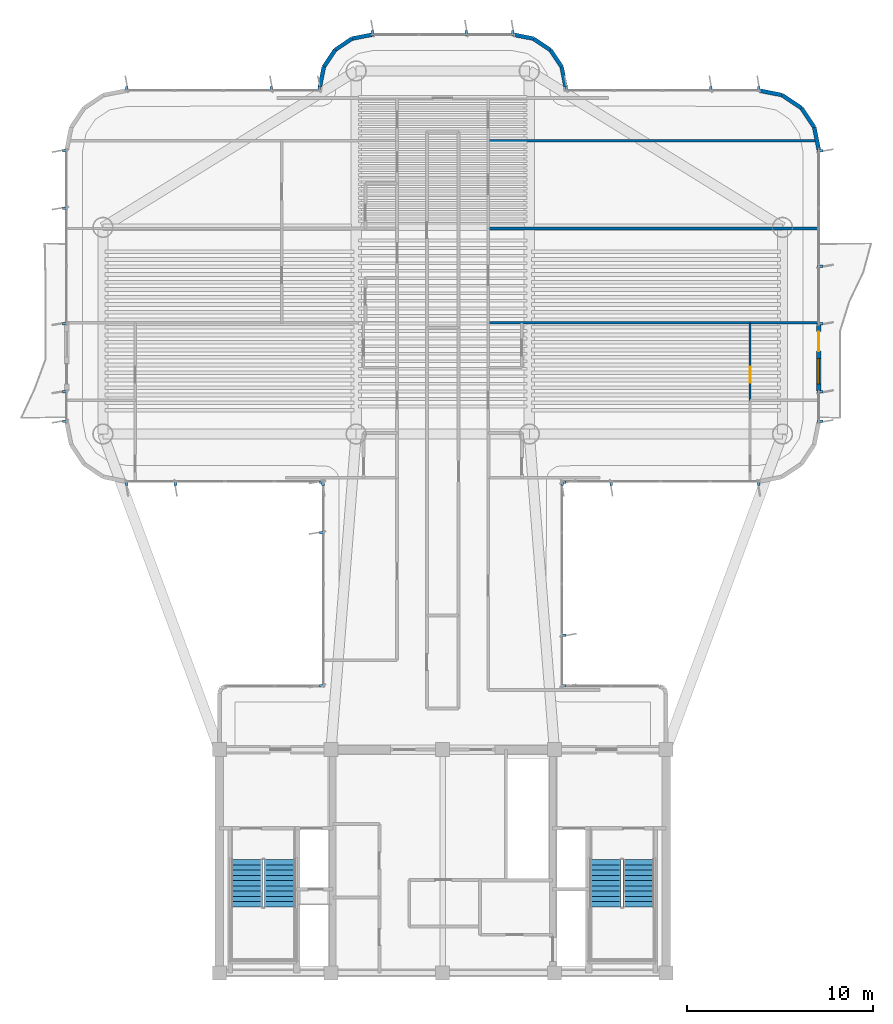
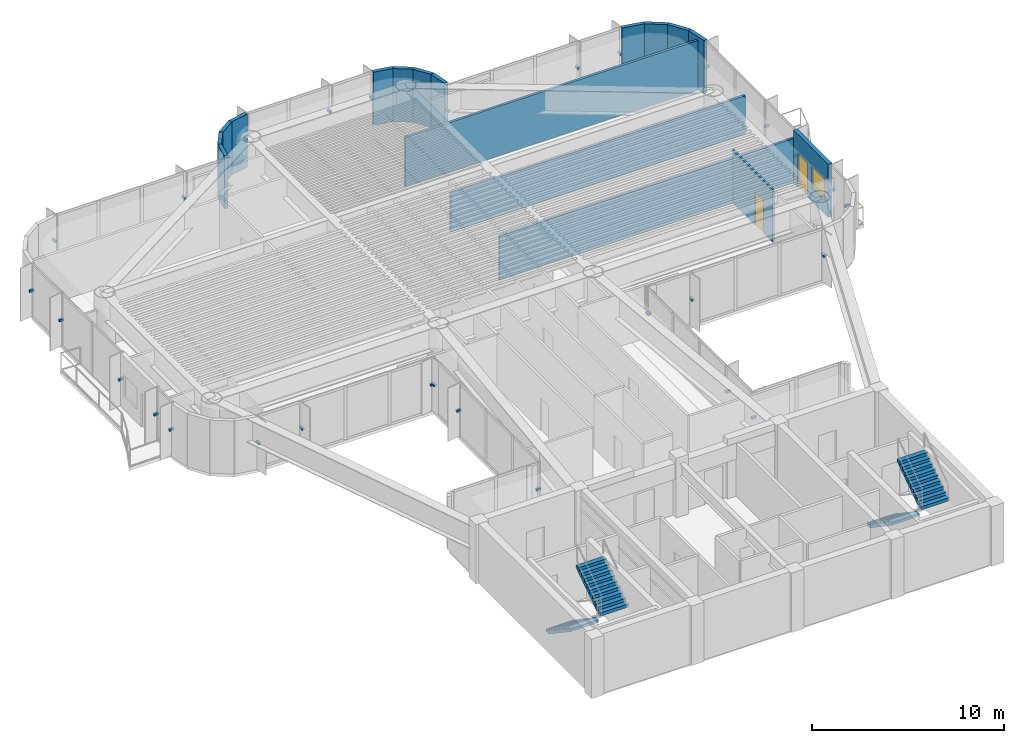
# One storey, part 11 of 13: 31 discrete accessories, 17 walls, 4 stair flights, 2 doors, 1 window, 3 openings, 2 elements without a shape of their own.
"""IFC4 building model written with IfcOpenShell, lengths in metres."""

from ifc_helpers import new_model, si_unit, direction, frame, frame_2d, origin, origin_2d, place, context, subcontext, project, spatial, polyline, rectangle, outline, extrude, source, transform, mapped, material, layer, layer_set, type_object, element, fill, aggregate, save


model = new_model("IFC4")

# Units and contexts
model_context = context("Model", 3, precision=1e-05, world=origin(), true_north=direction((0.0, 1.0)))
body_context = subcontext(model_context, "Body", "Model", "MODEL_VIEW")
ifc_project = project(units=[si_unit("LENGTHUNIT", "METRE"), si_unit("AREAUNIT", "SQUARE_METRE"), si_unit("VOLUMEUNIT", "CUBIC_METRE"), si_unit("PLANEANGLEUNIT", "RADIAN"), si_unit("MASSUNIT", "GRAM", prefix="KILO")], contexts=[model_context])

# Site, building, storey
site_placement = place(None, origin())
site = spatial("IfcSite", under=ifc_project, at=site_placement, CompositionType="ELEMENT")
building_placement = place(site_placement, origin())
building = spatial("IfcBuilding", under=site, at=building_placement, Name="Brelvock Crest Care Tower", CompositionType="ELEMENT")
storey_placement = place(building_placement, frame((0.0, 0.0, 209.340087890625)))
storey = spatial("IfcBuildingStorey", under=building, at=storey_placement, Name="L53", CompositionType="ELEMENT", Elevation=209.340087890625)

# Wall, openings, door, window
ifc_material_1 = material(Name="Precast concrete N40 (40 MPa)", Category="concrete")
ifc_layer_1 = layer(ifc_material_1, 0.239990234375, Name="WL-EX1")
ifc_layer_set_1 = layer_set([ifc_layer_1], Name="Precast concrete N40 (40 MPa)")
wall_type_1 = type_object("IfcWallType", Name="WL-EX1", PredefinedType="SOLIDWALL", material=ifc_layer_set_1)
wall_1_placement = place(storey_placement, frame((56.199951171875, 40.85009765625, 0.0), z_axis=(0.0, 0.0, 1.0), x_axis=(0.0, -1.0, 0.0)))
wall_1 = element("IfcWall", 1, at=wall_1_placement, inside=storey, type_object=wall_type_1, Name="L53 Exterior Spandrel Wall WL-BAL-L53-E", PredefinedType="SOLIDWALL", context=body_context, shape_type="SweptSolid", body=[
    extrude(rectangle(XDim=3.60009765625, YDim=0.239990234375, at=frame_2d((1.800048828125, 0.0))), origin(), (0.0, 0.0, 1.0), 3.371826171875),
])
opening_1_placement = place(wall_1_placement, frame((0.39990234375, 0.0, 0.0)))
opening_1 = element("IfcOpeningElement", 2, at=opening_1_placement, cuts=wall_1, Name="Opening BD-1", PredefinedType="OPENING", context=body_context, shape_type="SweptSolid", body=[
    extrude(rectangle(XDim=1.050048828125, YDim=2.14990234375, at=origin_2d()), frame((0.52490234375, 0.1298828125, 1.074951171875), z_axis=(0.0, -1.0, 0.0), x_axis=(1.0, 0.0, 0.0)), (0.0, 0.0, 1.0), 0.260009765625),
])
opening_2_placement = place(wall_1_placement, frame((1.85009765625, 0.0, 0.85009765625)))
opening_2 = element("IfcOpeningElement", 3, at=opening_2_placement, cuts=wall_1, Name="Opening W-01", PredefinedType="OPENING", context=body_context, shape_type="SweptSolid", body=[
    extrude(rectangle(XDim=1.35009765625, YDim=1.35009765625, at=origin_2d()), frame((0.675048828125, 0.1298828125, 0.675048828125), z_axis=(0.0, -1.0, 0.0), x_axis=(1.0, 0.0, 0.0)), (0.0, 0.0, 1.0), 0.260009765625),
])
ifc_material_2 = material(Name="Dark Glass Double Glazed Low-E", Category="glass")
door_type_1 = type_object("IfcDoorType", Name="DR-BAL1", OperationType="NOTDEFINED", PredefinedType="DOOR", material=ifc_material_2)
shared_shape_1 = source(origin(), body_context, "Body", "SweptSolid", [
    extrude(rectangle(XDim=1.050048828125, YDim=2.14990234375, at=origin_2d()), frame((0.52490234375, 0.02490234375, 1.074951171875), z_axis=(0.0, -1.0, 0.0), x_axis=(1.0, 0.0, 0.0)), (0.0, 0.0, 1.0), 0.050048828125),
])
door_1_placement = place(opening_1_placement, origin())
door_1 = element("IfcDoor", 4, at=door_1_placement, inside=storey, type_object=door_type_1, Name="L53 E Wave Balcony Glazed Door", OperationType="SINGLE_SWING_RIGHT", OverallHeight=2.14990234375, OverallWidth=1.050048828125, PredefinedType="DOOR", context=body_context, shape_type="MappedRepresentation", body=[
    mapped(shared_shape_1, transform((0.0, 0.0, 0.0), x_axis=(1.0, 0.0, 0.0), y_axis=(0.0, 1.0, 0.0), z_axis=(0.0, 0.0, 1.0), scale=1.0)),
])
fill(opening_1, door_1)
window_type = type_object("IfcWindowType", Name="WN-EX1", PartitioningType="SINGLE_PANEL", PredefinedType="WINDOW", material=ifc_material_2)
shared_shape_2 = source(origin(), body_context, "Body", "SweptSolid", [
    extrude(rectangle(XDim=1.35009765625, YDim=1.35009765625, at=origin_2d()), frame((0.675048828125, 0.030029296875, 0.675048828125), z_axis=(0.0, -1.0, 0.0), x_axis=(1.0, 0.0, 0.0)), (0.0, 0.0, 1.0), 0.06005859375),
])
window_placement = place(opening_2_placement, origin())
window = element("IfcWindow", 5, at=window_placement, inside=storey, type_object=window_type, Name="L53 E Suite Casement Window", OverallHeight=1.35009765625, OverallWidth=1.35009765625, PartitioningType="SINGLE_PANEL", PredefinedType="WINDOW", context=body_context, shape_type="MappedRepresentation", body=[
    mapped(shared_shape_2, transform((0.0, 0.0, 0.0), x_axis=(1.0, 0.0, 0.0), y_axis=(0.0, 1.0, 0.0), z_axis=(0.0, 0.0, 1.0), scale=1.0)),
])
fill(opening_2, window)

# Walls
ifc_layer_2 = layer(ifc_material_1, 0.215087890625, Name="WL-EX2")
ifc_layer_set_2 = layer_set([ifc_layer_2], Name="Precast concrete N40 (40 MPa)")
wall_type_2 = type_object("IfcWallType", Name="WL-EX2", PredefinedType="SOLIDWALL", material=ifc_layer_set_2)
wall_2_placement = place(storey_placement, frame((29.39990234375, 53.60009765625, 0.0), z_axis=(0.0, 0.0, 1.0), x_axis=(0.195127417394, 0.980777900945, 0.0)))
element("IfcWall", 6, at=wall_2_placement, inside=storey, type_object=wall_type_2, Name="L53 Rounded Corner Wall 24", PredefinedType="SOLIDWALL", context=body_context, shape_type="SweptSolid", body=[
    extrude(rectangle(XDim=1.09228515625, YDim=0.215087890625, at=frame_2d((0.546142578125, 0.0))), origin(), (0.0, 0.0, 1.0), 3.371826171875),
])
wall_3_placement = place(storey_placement, frame((29.613037109375, 54.67138671875, 0.0), z_axis=(0.0, 0.0, 1.0), x_axis=(0.555679482341, 0.831396603857, 0.0)))
element("IfcWall", 7, at=wall_3_placement, inside=storey, type_object=wall_type_2, Name="L53 Rounded Corner Wall 25", PredefinedType="SOLIDWALL", context=body_context, shape_type="SweptSolid", body=[
    extrude(rectangle(XDim=1.0927734375, YDim=0.215087890625, at=frame_2d((0.54638671875, 0.0))), origin(), (0.0, 0.0, 1.0), 3.371826171875),
])
for number, where, z_axis, x_axis, name in (
    (8, (30.22021484375, 55.579833984375, 0.0), (0.0, 0.0, 1.0), (0.831327592857, 0.555782721353, 0.0), "L53 Rounded Corner Wall 26"),
    (9, (31.12841796875, 56.18701171875, 0.0), (0.0, 0.0, 1.0), (0.980829143587, 0.194869677195, 0.0), "L53 Rounded Corner Wall 27"),
    (10, (39.800048828125, 56.39990234375, 0.0), (0.0, 0.0, 1.0), (0.980829143587, -0.194869677195, 0.0), "L53 Rounded Corner Wall 29"),
    (11, (40.87158203125, 56.18701171875, 0.0), (0.0, 0.0, 1.0), (0.831327592857, -0.555782721353, 0.0), "L53 Rounded Corner Wall 30"),
):
    element("IfcWall", number, at=place(storey_placement, frame(where, z_axis=z_axis, x_axis=x_axis)), inside=storey, type_object=wall_type_2, Name=name, PredefinedType="SOLIDWALL", context=body_context, shape_type="SweptSolid", body=[
        extrude(rectangle(XDim=1.092529296875, YDim=0.215087890625, at=frame_2d((0.54638671875, 0.0))), origin(), (0.0, 0.0, 1.0), 3.371826171875),
    ])
wall_4_placement = place(storey_placement, frame((41.77978515625, 55.579833984375, 0.0), z_axis=(0.0, 0.0, 1.0), x_axis=(0.555679482341, -0.831396603857, 0.0)))
element("IfcWall", 12, at=wall_4_placement, inside=storey, type_object=wall_type_2, Name="L53 Rounded Corner Wall 31", PredefinedType="SOLIDWALL", context=body_context, shape_type="SweptSolid", body=[
    extrude(rectangle(XDim=1.0927734375, YDim=0.215087890625, at=frame_2d((0.54638671875, 0.0))), origin(), (0.0, 0.0, 1.0), 3.371826171875),
])
wall_5_placement = place(storey_placement, frame((42.386962890625, 54.67138671875, 0.0), z_axis=(0.0, 0.0, 1.0), x_axis=(0.195127417394, -0.980777900945, 0.0)))
element("IfcWall", 13, at=wall_5_placement, inside=storey, type_object=wall_type_2, Name="L53 Rounded Corner Wall 32", PredefinedType="SOLIDWALL", context=body_context, shape_type="SweptSolid", body=[
    extrude(rectangle(XDim=1.09228515625, YDim=0.215087890625, at=frame_2d((0.546142578125, 0.0))), origin(), (0.0, 0.0, 1.0), 3.371826171875),
])
for number, where, z_axis, x_axis, name in (
    (14, (53.0, 53.39990234375, 0.0), (0.0, 0.0, 1.0), (0.980813122964, -0.194950295773, 0.0), "L53 Rounded Corner Wall 35"),
    (15, (54.224609375, 53.156494140625, 0.0), (0.0, 0.0, 1.0), (0.831387912822, -0.555692485475, 0.0), "L53 Rounded Corner Wall 36"),
    (16, (55.2626953125, 52.462646484375, 0.0), (0.0, 0.0, 1.0), (0.555557312883, -0.831478245117, 0.0), "L53 Rounded Corner Wall 37"),
    (17, (55.956298828125, 51.424560546875, 0.0), (0.0, 0.0, 1.0), (0.195138390419, -0.980775717779, 0.0), "L53 Rounded Corner Wall 38"),
):
    element("IfcWall", number, at=place(storey_placement, frame(where, z_axis=z_axis, x_axis=x_axis)), inside=storey, type_object=wall_type_2, Name=name, PredefinedType="SOLIDWALL", context=body_context, shape_type="SweptSolid", body=[
        extrude(rectangle(XDim=1.24853515625, YDim=0.215087890625, at=frame_2d((0.624267578125, 0.0))), origin(), (0.0, 0.0, 1.0), 3.371826171875),
    ])
ifc_material_3 = material(Name="Masonry Blockwork Acoustic Partition", Category="masonry")
ifc_layer_3 = layer(ifc_material_3, 0.14990234375, Name="WL-INT1")
ifc_layer_set_3 = layer_set([ifc_layer_3], Name="Masonry Blockwork Acoustic Partition")
wall_type_3 = type_object("IfcWallType", Name="WL-INT1", PredefinedType="PARTITIONING", material=ifc_layer_set_3)
wall_6_placement = place(storey_placement, frame((38.449951171875, 40.926025390625, 0.0), z_axis=(0.0, 0.0, 1.0), x_axis=(1.0, 0.0, 0.0)))
element("IfcWall", 18, at=wall_6_placement, inside=storey, type_object=wall_type_3, Name="L53 Interior Wall WL-BX-L53-EFL2-S", PredefinedType="PARTITIONING", context=body_context, shape_type="SweptSolid", body=[
    extrude(rectangle(XDim=17.670166015625, YDim=0.14990234375, at=frame_2d((8.8349609375, 0.0))), origin(), (0.0, 0.0, 1.0), 2.823974609375),
])
wall_7_placement = place(storey_placement, frame((38.449951171875, 45.993896484375, 0.0), z_axis=(0.0, 0.0, 1.0), x_axis=(1.0, 0.0, 0.0)))
element("IfcWall", 19, at=wall_7_placement, inside=storey, type_object=wall_type_3, Name="L53 Interior Wall WL-BX-L53-EFL2-N", PredefinedType="PARTITIONING", context=body_context, shape_type="SweptSolid", body=[
    extrude(rectangle(XDim=17.670166015625, YDim=0.14990234375, at=frame_2d((8.8349609375, 0.0))), origin(), (0.0, 0.0, 1.0), 2.45703125),
])
wall_8_placement = place(storey_placement, frame((38.449951171875, 50.699951171875, 0.0), z_axis=(0.0, 0.0, 1.0), x_axis=(1.0, 0.0, 0.0)))
element("IfcWall", 20, at=wall_8_placement, inside=storey, type_object=wall_type_3, Name="L53 Interior Wall WL-BX-L53-EFL3-N", PredefinedType="PARTITIONING", context=body_context, shape_type="SweptSolid", body=[
    extrude(rectangle(XDim=17.569091796875, YDim=0.14990234375, at=frame_2d((8.78466796875, 0.0))), origin(), (0.0, 0.0, 1.0), 3.14990234375),
])

# Wall, opening, door
ifc_material_4 = material(Name="Gypsum Plasterboard Partition", Category="gypsum")
ifc_layer_4 = layer(ifc_material_4, 0.1201171875, Name="WL-INT2")
ifc_layer_set_4 = layer_set([ifc_layer_4], Name="Gypsum Plasterboard Partition")
wall_type_4 = type_object("IfcWallType", Name="WL-INT2", PredefinedType="PARTITIONING", material=ifc_layer_set_4)
wall_9_placement = place(storey_placement, frame((52.510009765625, 36.762939453125, 0.0), z_axis=(0.0, 0.0, 1.0), x_axis=(0.0, 1.0, 0.0)))
wall_9 = element("IfcWall", 21, at=wall_9_placement, inside=storey, type_object=wall_type_4, Name="L53 Interior Wall WL-UBD2-L53-EF1", PredefinedType="PARTITIONING", context=body_context, shape_type="SweptSolid", body=[
    extrude(rectangle(XDim=4.1630859375, YDim=0.1201171875, at=frame_2d((2.08154296875, 0.0))), origin(), (0.0, 0.0, 1.0), 3.341796875),
])
opening_3_placement = place(wall_9_placement, frame((0.931884765625, 0.0, 0.0)))
opening_3 = element("IfcOpeningElement", 22, at=opening_3_placement, cuts=wall_9, Name="Opening ID-1", PredefinedType="OPENING", context=body_context, shape_type="SweptSolid", body=[
    extrude(rectangle(XDim=0.860107421875, YDim=2.10009765625, at=origin_2d()), frame((0.43017578125, 0.070068359375, 1.050048828125), z_axis=(0.0, -1.0, 0.0), x_axis=(1.0, 0.0, 0.0)), (0.0, 0.0, 1.0), 0.14013671875),
])
ifc_material_5 = material(Name="Engineered Hardwood Timber", Category="wood")
door_type_2 = type_object("IfcDoorType", Name="DR-INT1", OperationType="NOTDEFINED", PredefinedType="DOOR", material=ifc_material_5)
shared_shape_3 = source(origin(), body_context, "Body", "SweptSolid", [
    extrude(rectangle(XDim=0.860107421875, YDim=2.10009765625, at=origin_2d()), frame((0.43017578125, 0.02490234375, 1.050048828125), z_axis=(0.0, -1.0, 0.0), x_axis=(1.0, 0.0, 0.0)), (0.0, 0.0, 1.0), 0.050048828125),
])
door_2_placement = place(opening_3_placement, origin())
door_2 = element("IfcDoor", 23, at=door_2_placement, inside=storey, type_object=door_type_2, Name="L53 Second Room Door EF1", OperationType="SINGLE_SWING_LEFT", OverallHeight=2.10009765625, OverallWidth=0.860107421875, PredefinedType="DOOR", context=body_context, shape_type="MappedRepresentation", body=[
    mapped(shared_shape_3, transform((0.0, 0.0, 0.0), x_axis=(1.0, 0.0, 0.0), y_axis=(0.0, 1.0, 0.0), z_axis=(0.0, 0.0, 1.0), scale=1.0)),
])
fill(opening_3, door_2)

# Stair, stair flights
ifc_material_6 = material(Name="Concrete N40 (40 MPa)", Category="concrete")
stair_type = type_object("IfcStairType", Name="ST-CORE1", PredefinedType="HALF_TURN_STAIR", material=ifc_material_6)
stair_1_placement = place(storey_placement, origin())
stair_1 = element("IfcStair", 24, at=stair_1_placement, inside=storey, type_object=stair_type, Name="L53 Fire-Isolated Core Stair ST-1", PredefinedType="HALF_TURN_STAIR")
stair_flight_type = type_object("IfcStairFlightType", Name="STF-1", PredefinedType="STRAIGHT", material=ifc_material_6)
stair_flight_1_placement = place(storey_placement, frame((25.469970703125, 12.080078125, 0.0), z_axis=(0.0, 0.0, 1.0), x_axis=(0.0, -1.0, 0.0)))
stair_flight_1 = element("IfcStairFlight", 25, at=stair_flight_1_placement, type_object=stair_flight_type, Name="ST-1 flight 1", NumberOfRisers=10, NumberOfTreads=9, PredefinedType="STRAIGHT", RiserHeight=0.189, TreadLength=0.28, context=body_context, shape_type="SweptSolid", body=[
    extrude(outline(polyline([(-0.00390625, -0.014892578125), (-0.00390625, -0.0078125), (-0.00390625, -0.00048828125), (-0.00390625, 0.0068359375), (-0.00390625, 0.01416015625), (-0.00390625, 0.021484375), (-0.00390625, 0.02880859375), (-0.00390625, 0.035888671875), (-0.00390625, 0.043212890625), (-0.00390625, 0.050537109375), (-0.00390625, 0.057861328125), (-0.00390625, 0.065185546875), (-0.00390625, 0.072509765625), (-0.00390625, 0.07958984375), (-0.00390625, 0.0869140625), (-0.00390625, 0.09423828125), (-0.00390625, 0.1015625), (-0.00390625, 0.10888671875), (-0.00390625, 0.1162109375), (-0.00390625, 0.12353515625), (-0.00390625, 0.130615234375), (-0.00390625, 0.137939453125), (-0.00390625, 0.145263671875), (-0.00390625, 0.152587890625), (-0.00390625, 0.159912109375), (-0.00390625, 0.167236328125), (-0.00390625, 0.17431640625), (-0.00390625, 0.181640625), (-0.00390625, 0.18896484375), (0.0, 0.18896484375), (0.280029296875, 0.18896484375), (0.280029296875, 0.3779296875), (0.56005859375, 0.3779296875), (0.56005859375, 0.56689453125), (0.840087890625, 0.56689453125), (0.840087890625, 0.756103515625), (1.1201171875, 0.756103515625), (1.1201171875, 0.945068359375), (1.39990234375, 0.945068359375), (1.39990234375, 1.134033203125), (1.679931640625, 1.134033203125), (1.679931640625, 1.322998046875), (1.9599609375, 1.322998046875), (1.9599609375, 1.511962890625), (2.239990234375, 1.511962890625), (2.239990234375, 1.700927734375), (2.52001953125, 1.700927734375), (2.52392578125, 1.700927734375), (2.523681640625, 1.70068359375), (2.52392578125, 1.700439453125), (2.523681640625, 1.699951171875), (2.52392578125, 1.69970703125), (2.523681640625, 1.699462890625), (2.52392578125, 1.698974609375), (2.523681640625, 1.69873046875), (2.52392578125, 1.698486328125), (2.523681640625, 1.697998046875), (2.52392578125, 1.69775390625), (2.523681640625, 1.697509765625), (2.52392578125, 1.697021484375), (2.523681640625, 1.69677734375), (2.52392578125, 1.696533203125), (2.523681640625, 1.6962890625), (2.52392578125, 1.69580078125), (2.523681640625, 1.695556640625), (2.52392578125, 1.6953125), (2.523681640625, 1.69482421875), (2.52392578125, 1.694580078125), (2.523681640625, 1.6943359375), (2.52392578125, 1.69384765625), (2.523681640625, 1.693603515625), (2.52392578125, 1.693359375), (2.523681640625, 1.69287109375), (2.52392578125, 1.692626953125), (2.523681640625, 1.6923828125), (2.52392578125, 1.69189453125), (2.52001953125, 1.520263671875), (0.267822265625, 0.0), (0.0, 0.0), (0.0, -0.014892578125), (-0.00390625, -0.014892578125)])), frame((0.0, 0.83984375, 0.0), z_axis=(0.0, -1.0, 0.0), x_axis=(1.0, 0.0, 0.0)), (0.0, 0.0, 1.0), 1.679931640625),
])
stair_flight_2_placement = place(storey_placement, frame((27.27001953125, 9.56005859375, 1.889892578125), z_axis=(0.0, 0.0, 1.0), x_axis=(0.0, 1.0, 0.0)))
stair_flight_2 = element("IfcStairFlight", 26, at=stair_flight_2_placement, type_object=stair_flight_type, Name="ST-1 flight 2", NumberOfRisers=10, NumberOfTreads=9, PredefinedType="STRAIGHT", RiserHeight=0.189, TreadLength=0.28, context=body_context, shape_type="SweptSolid", body=[
    extrude(outline(polyline([(-0.00390625, -0.014892578125), (-0.00390625, -0.0078125), (-0.00390625, -0.00048828125), (-0.00390625, 0.0068359375), (-0.00390625, 0.01416015625), (-0.00390625, 0.021484375), (-0.00390625, 0.02880859375), (-0.00390625, 0.035888671875), (-0.00390625, 0.043212890625), (-0.00390625, 0.050537109375), (-0.00390625, 0.057861328125), (-0.00390625, 0.065185546875), (-0.00390625, 0.072509765625), (-0.00390625, 0.07958984375), (-0.00390625, 0.0869140625), (-0.00390625, 0.09423828125), (-0.00390625, 0.1015625), (-0.00390625, 0.10888671875), (-0.00390625, 0.1162109375), (-0.00390625, 0.12353515625), (-0.00390625, 0.130615234375), (-0.00390625, 0.137939453125), (-0.00390625, 0.145263671875), (-0.00390625, 0.152587890625), (-0.00390625, 0.159912109375), (-0.00390625, 0.167236328125), (-0.00390625, 0.17431640625), (-0.00390625, 0.181640625), (-0.00390625, 0.18896484375), (0.0, 0.18896484375), (0.280029296875, 0.18896484375), (0.280029296875, 0.3779296875), (0.56005859375, 0.3779296875), (0.56005859375, 0.56689453125), (0.840087890625, 0.56689453125), (0.840087890625, 0.756103515625), (1.1201171875, 0.756103515625), (1.1201171875, 0.945068359375), (1.39990234375, 0.945068359375), (1.39990234375, 1.134033203125), (1.679931640625, 1.134033203125), (1.679931640625, 1.322998046875), (1.9599609375, 1.322998046875), (1.9599609375, 1.511962890625), (2.239990234375, 1.511962890625), (2.239990234375, 1.700927734375), (2.52001953125, 1.700927734375), (2.52392578125, 1.700927734375), (2.523681640625, 1.70068359375), (2.52392578125, 1.700439453125), (2.523681640625, 1.699951171875), (2.52392578125, 1.69970703125), (2.523681640625, 1.699462890625), (2.52392578125, 1.698974609375), (2.523681640625, 1.69873046875), (2.52392578125, 1.698486328125), (2.523681640625, 1.697998046875), (2.52392578125, 1.69775390625), (2.523681640625, 1.697509765625), (2.52392578125, 1.697021484375), (2.523681640625, 1.69677734375), (2.52392578125, 1.696533203125), (2.523681640625, 1.6962890625), (2.52392578125, 1.69580078125), (2.523681640625, 1.695556640625), (2.52392578125, 1.6953125), (2.523681640625, 1.69482421875), (2.52392578125, 1.694580078125), (2.523681640625, 1.6943359375), (2.52392578125, 1.69384765625), (2.523681640625, 1.693603515625), (2.52392578125, 1.693359375), (2.523681640625, 1.69287109375), (2.52392578125, 1.692626953125), (2.523681640625, 1.6923828125), (2.52392578125, 1.69189453125), (2.52001953125, 1.520263671875), (0.267822265625, 0.0), (0.0, 0.0), (0.0, -0.014892578125), (-0.00390625, -0.014892578125)])), frame((0.0, 0.83984375, 0.0), z_axis=(0.0, -1.0, 0.0), x_axis=(1.0, 0.0, 0.0)), (0.0, 0.0, 1.0), 1.679931640625),
])
aggregate(stair_1, [stair_flight_1, stair_flight_2])

stair_2_placement = place(storey_placement, origin())
stair_2 = element("IfcStair", 27, at=stair_2_placement, inside=storey, type_object=stair_type, Name="L53 Fire-Isolated Core Stair ST-2", PredefinedType="HALF_TURN_STAIR")
stair_flight_3_placement = place(storey_placement, frame((44.72998046875, 12.080078125, 0.0), z_axis=(0.0, 0.0, 1.0), x_axis=(0.0, -1.0, 0.0)))
stair_flight_3 = element("IfcStairFlight", 28, at=stair_flight_3_placement, type_object=stair_flight_type, Name="ST-2 flight 1", NumberOfRisers=10, NumberOfTreads=9, PredefinedType="STRAIGHT", RiserHeight=0.189, TreadLength=0.28, context=body_context, shape_type="SweptSolid", body=[
    extrude(outline(polyline([(-0.00390625, -0.014892578125), (-0.00390625, -0.0078125), (-0.00390625, -0.00048828125), (-0.00390625, 0.0068359375), (-0.00390625, 0.01416015625), (-0.00390625, 0.021484375), (-0.00390625, 0.02880859375), (-0.00390625, 0.035888671875), (-0.00390625, 0.043212890625), (-0.00390625, 0.050537109375), (-0.00390625, 0.057861328125), (-0.00390625, 0.065185546875), (-0.00390625, 0.072509765625), (-0.00390625, 0.07958984375), (-0.00390625, 0.0869140625), (-0.00390625, 0.09423828125), (-0.00390625, 0.1015625), (-0.00390625, 0.10888671875), (-0.00390625, 0.1162109375), (-0.00390625, 0.12353515625), (-0.00390625, 0.130615234375), (-0.00390625, 0.137939453125), (-0.00390625, 0.145263671875), (-0.00390625, 0.152587890625), (-0.00390625, 0.159912109375), (-0.00390625, 0.167236328125), (-0.00390625, 0.17431640625), (-0.00390625, 0.181640625), (-0.00390625, 0.18896484375), (0.0, 0.18896484375), (0.280029296875, 0.18896484375), (0.280029296875, 0.3779296875), (0.56005859375, 0.3779296875), (0.56005859375, 0.56689453125), (0.840087890625, 0.56689453125), (0.840087890625, 0.756103515625), (1.1201171875, 0.756103515625), (1.1201171875, 0.945068359375), (1.39990234375, 0.945068359375), (1.39990234375, 1.134033203125), (1.679931640625, 1.134033203125), (1.679931640625, 1.322998046875), (1.9599609375, 1.322998046875), (1.9599609375, 1.511962890625), (2.239990234375, 1.511962890625), (2.239990234375, 1.700927734375), (2.52001953125, 1.700927734375), (2.52392578125, 1.700927734375), (2.523681640625, 1.70068359375), (2.52392578125, 1.700439453125), (2.523681640625, 1.699951171875), (2.52392578125, 1.69970703125), (2.523681640625, 1.699462890625), (2.52392578125, 1.698974609375), (2.523681640625, 1.69873046875), (2.52392578125, 1.698486328125), (2.523681640625, 1.697998046875), (2.52392578125, 1.69775390625), (2.523681640625, 1.697509765625), (2.52392578125, 1.697021484375), (2.523681640625, 1.69677734375), (2.52392578125, 1.696533203125), (2.523681640625, 1.6962890625), (2.52392578125, 1.69580078125), (2.523681640625, 1.695556640625), (2.52392578125, 1.6953125), (2.523681640625, 1.69482421875), (2.52392578125, 1.694580078125), (2.523681640625, 1.6943359375), (2.52392578125, 1.69384765625), (2.523681640625, 1.693603515625), (2.52392578125, 1.693359375), (2.523681640625, 1.69287109375), (2.52392578125, 1.692626953125), (2.523681640625, 1.6923828125), (2.52392578125, 1.69189453125), (2.52001953125, 1.520263671875), (0.267822265625, 0.0), (0.0, 0.0), (0.0, -0.014892578125), (-0.00390625, -0.014892578125)])), frame((0.0, 0.83984375, 0.0), z_axis=(0.0, -1.0, 0.0), x_axis=(1.0, 0.0, 0.0)), (0.0, 0.0, 1.0), 1.679931640625),
])
stair_flight_4_placement = place(storey_placement, frame((46.530029296875, 9.56005859375, 1.889892578125), z_axis=(0.0, 0.0, 1.0), x_axis=(0.0, 1.0, 0.0)))
stair_flight_4 = element("IfcStairFlight", 29, at=stair_flight_4_placement, type_object=stair_flight_type, Name="ST-2 flight 2", NumberOfRisers=10, NumberOfTreads=9, PredefinedType="STRAIGHT", RiserHeight=0.189, TreadLength=0.28, context=body_context, shape_type="SweptSolid", body=[
    extrude(outline(polyline([(-0.00390625, -0.014892578125), (-0.00390625, -0.0078125), (-0.00390625, -0.00048828125), (-0.00390625, 0.0068359375), (-0.00390625, 0.01416015625), (-0.00390625, 0.021484375), (-0.00390625, 0.02880859375), (-0.00390625, 0.035888671875), (-0.00390625, 0.043212890625), (-0.00390625, 0.050537109375), (-0.00390625, 0.057861328125), (-0.00390625, 0.065185546875), (-0.00390625, 0.072509765625), (-0.00390625, 0.07958984375), (-0.00390625, 0.0869140625), (-0.00390625, 0.09423828125), (-0.00390625, 0.1015625), (-0.00390625, 0.10888671875), (-0.00390625, 0.1162109375), (-0.00390625, 0.12353515625), (-0.00390625, 0.130615234375), (-0.00390625, 0.137939453125), (-0.00390625, 0.145263671875), (-0.00390625, 0.152587890625), (-0.00390625, 0.159912109375), (-0.00390625, 0.167236328125), (-0.00390625, 0.17431640625), (-0.00390625, 0.181640625), (-0.00390625, 0.18896484375), (0.0, 0.18896484375), (0.280029296875, 0.18896484375), (0.280029296875, 0.3779296875), (0.56005859375, 0.3779296875), (0.56005859375, 0.56689453125), (0.840087890625, 0.56689453125), (0.840087890625, 0.756103515625), (1.1201171875, 0.756103515625), (1.1201171875, 0.945068359375), (1.39990234375, 0.945068359375), (1.39990234375, 1.134033203125), (1.679931640625, 1.134033203125), (1.679931640625, 1.322998046875), (1.9599609375, 1.322998046875), (1.9599609375, 1.511962890625), (2.239990234375, 1.511962890625), (2.239990234375, 1.700927734375), (2.52001953125, 1.700927734375), (2.52392578125, 1.700927734375), (2.523681640625, 1.70068359375), (2.52392578125, 1.700439453125), (2.523681640625, 1.699951171875), (2.52392578125, 1.69970703125), (2.523681640625, 1.699462890625), (2.52392578125, 1.698974609375), (2.523681640625, 1.69873046875), (2.52392578125, 1.698486328125), (2.523681640625, 1.697998046875), (2.52392578125, 1.69775390625), (2.523681640625, 1.697509765625), (2.52392578125, 1.697021484375), (2.523681640625, 1.69677734375), (2.52392578125, 1.696533203125), (2.523681640625, 1.6962890625), (2.52392578125, 1.69580078125), (2.523681640625, 1.695556640625), (2.52392578125, 1.6953125), (2.523681640625, 1.69482421875), (2.52392578125, 1.694580078125), (2.523681640625, 1.6943359375), (2.52392578125, 1.69384765625), (2.523681640625, 1.693603515625), (2.52392578125, 1.693359375), (2.523681640625, 1.69287109375), (2.52392578125, 1.692626953125), (2.523681640625, 1.6923828125), (2.52392578125, 1.69189453125), (2.52001953125, 1.520263671875), (0.267822265625, 0.0), (0.0, 0.0), (0.0, -0.014892578125), (-0.00390625, -0.014892578125)])), frame((0.0, 0.83984375, 0.0), z_axis=(0.0, -1.0, 0.0), x_axis=(1.0, 0.0, 0.0)), (0.0, 0.0, 1.0), 1.679931640625),
])
aggregate(stair_2, [stair_flight_3, stair_flight_4])

# Discrete accessories
ifc_material_7 = material(Name="Steel Grade 350", Category="steel")
discrete_accessory_type = type_object("IfcDiscreteAccessoryType", Name="ACC-BRK1", PredefinedType="BRACKET", material=ifc_material_7)
shared_shape_4 = source(origin(), body_context, "Body", "SweptSolid", [
    extrude(rectangle(XDim=0.280029296875, YDim=0.139892578125, at=origin_2d()), origin(), (0.0, 0.0, 1.0), 0.139892578125),
])
for number, where, z_axis, x_axis, name in (
    (30, (29.52001953125, 21.429931640625, 1.61572265625), (0.0, 0.0, 1.0), (-1.0, 0.0, 0.0), "L53 Facade Fin Bracket E11-01"),
    (31, (29.52001953125, 29.64990234375, 1.61572265625), (0.0, 0.0, 1.0), (-1.0, 0.0, 0.0), "L53 Facade Fin Bracket E11-04"),
    (32, (29.52001953125, 32.3701171875, 1.61572265625), (0.0, 0.0, 1.0), (-1.0, 0.0, 0.0), "L53 Facade Fin Bracket E11-05"),
    (33, (29.570068359375, 32.320068359375, 1.61572265625), (0.0, 0.0, 1.0), (0.0, -1.0, 0.0), "L53 Facade Fin Bracket E12-01"),
    (34, (21.64990234375, 32.320068359375, 1.61572265625), (0.0, 0.0, 1.0), (0.0, -1.0, 0.0), "L53 Facade Fin Bracket E12-04"),
    (35, (19.030029296875, 32.320068359375, 1.61572265625), (0.0, 0.0, 1.0), (0.0, -1.0, 0.0), "L53 Facade Fin Bracket E12-05"),
    (36, (15.719970703125, 35.6298828125, 1.61572265625), (0.0, 0.0, 1.0), (-1.0, 0.0, 0.0), "L53 Facade Fin Bracket E17A-01"),
    (37, (15.719970703125, 37.219970703125, 1.61572265625), (0.0, 0.0, 1.0), (-1.0, 0.0, 0.0), "L53 Facade Fin Bracket E17A-02"),
    (38, (15.719970703125, 40.8798828125, 1.61572265625), (0.0, 0.0, 1.0), (-1.0, 0.0, 0.0), "L53 Facade Fin Bracket E17B-01"),
    (39, (15.719970703125, 47.083251953125, 1.61572265625), (0.0, 0.0, 1.0), (-1.0, 0.0, 0.0), "L53 Facade Fin Bracket E17B-03"),
    (40, (15.719970703125, 50.169921875, 1.61572265625), (0.0, 0.0, 1.0), (-1.0, 0.0, 0.0), "L53 Facade Fin Bracket E17B-04"),
    (41, (19.030029296875, 53.47998046875, 1.61572265625), (0.0, 0.0, 1.0), (0.0, 1.0, 0.0), "L53 Facade Fin Bracket E22-01"),
    (42, (26.800048828125, 53.47998046875, 1.61572265625), (0.0, 0.0, 1.0), (0.0, 1.0, 0.0), "L53 Facade Fin Bracket E22-04"),
    (43, (29.3701171875, 53.47998046875, 1.61572265625), (0.0, 0.0, 1.0), (0.0, 1.0, 0.0), "L53 Facade Fin Bracket E22-05"),
    (44, (32.22998046875, 56.47998046875, 1.61572265625), (0.0, 0.0, 1.0), (0.0, 1.0, 0.0), "L53 Facade Fin Bracket E28-01"),
    (45, (37.2666015625, 56.47998046875, 1.61572265625), (0.0, 0.0, 1.0), (0.0, 1.0, 0.0), "L53 Facade Fin Bracket E28-03"),
    (46, (39.77001953125, 56.47998046875, 1.61572265625), (0.0, 0.0, 1.0), (0.0, 1.0, 0.0), "L53 Facade Fin Bracket E28-04"),
    (47, (42.6298828125, 53.47998046875, 1.61572265625), (0.0, 0.0, 1.0), (0.0, 1.0, 0.0), "L53 Facade Fin Bracket E34-01"),
    (48, (50.39990234375, 53.47998046875, 1.61572265625), (0.0, 0.0, 1.0), (0.0, 1.0, 0.0), "L53 Facade Fin Bracket E34-04"),
    (49, (52.969970703125, 53.47998046875, 1.61572265625), (0.0, 0.0, 1.0), (0.0, 1.0, 0.0), "L53 Facade Fin Bracket E34-05"),
    (50, (56.280029296875, 50.169921875, 1.61572265625), (0.0, 0.0, 1.0), (1.0, 0.0, 0.0), "L53 Facade Fin Bracket E39A-01"),
    (51, (56.280029296875, 43.966796875, 1.61572265625), (0.0, 0.0, 1.0), (1.0, 0.0, 0.0), "L53 Facade Fin Bracket E39A-03"),
    (52, (56.280029296875, 40.8798828125, 1.61572265625), (0.0, 0.0, 1.0), (1.0, 0.0, 0.0), "L53 Facade Fin Bracket E39A-04"),
    (53, (56.280029296875, 37.219970703125, 1.61572265625), (0.0, 0.0, 1.0), (1.0, 0.0, 0.0), "L53 Facade Fin Bracket E39B-01"),
    (54, (56.280029296875, 35.6298828125, 1.61572265625), (0.0, 0.0, 1.0), (1.0, 0.0, 0.0), "L53 Facade Fin Bracket E39B-02"),
    (55, (52.969970703125, 32.320068359375, 1.61572265625), (0.0, 0.0, 1.0), (0.0, -1.0, 0.0), "L53 Facade Fin Bracket E44-01"),
    (56, (45.050048828125, 32.320068359375, 1.61572265625), (0.0, 0.0, 1.0), (0.0, -1.0, 0.0), "L53 Facade Fin Bracket E44-04"),
    (57, (42.429931640625, 32.320068359375, 1.61572265625), (0.0, 0.0, 1.0), (0.0, -1.0, 0.0), "L53 Facade Fin Bracket E44-05"),
    (58, (42.47998046875, 32.3701171875, 1.61572265625), (0.0, 0.0, 1.0), (1.0, 0.0, 0.0), "L53 Facade Fin Bracket E45-01"),
    (59, (42.47998046875, 24.14990234375, 1.61572265625), (0.0, 0.0, 1.0), (1.0, 0.0, 0.0), "L53 Facade Fin Bracket E45-04"),
    (60, (42.47998046875, 21.429931640625, 1.61572265625), (0.0, 0.0, 1.0), (1.0, 0.0, 0.0), "L53 Facade Fin Bracket E45-05"),
):
    element("IfcDiscreteAccessory", number, at=place(storey_placement, frame(where, z_axis=z_axis, x_axis=x_axis)), inside=storey, type_object=discrete_accessory_type, Name=name, PredefinedType="BRACKET", context=body_context, shape_type="MappedRepresentation", body=[
        mapped(shared_shape_4, transform((0.0, 0.0, 0.0), x_axis=(1.0, 0.0, 0.0), y_axis=(0.0, 1.0, 0.0), z_axis=(0.0, 0.0, 1.0), scale=1.0)),
    ])

save(model, "model.ifc")
